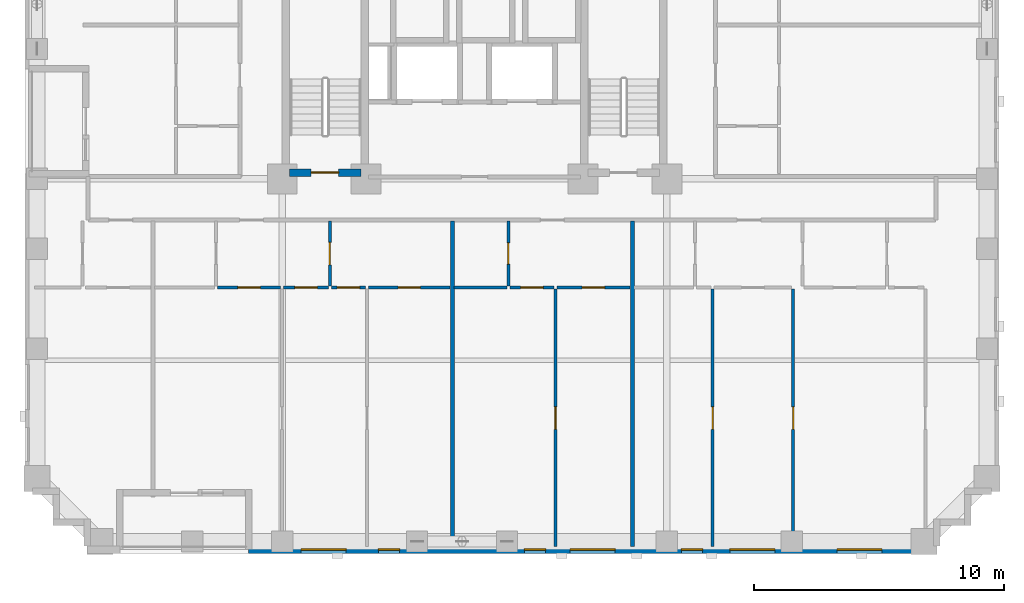
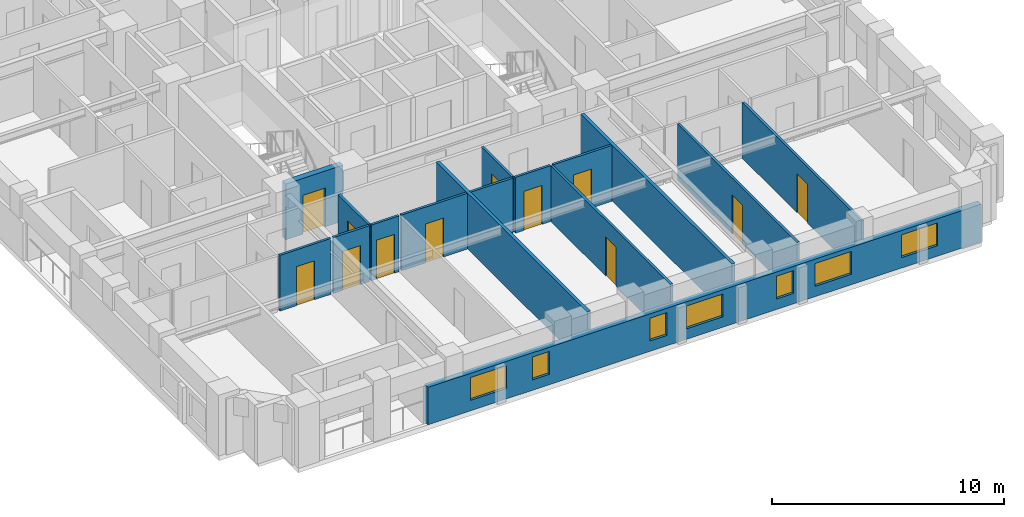
# One storey, part 3 of 14: 16 walls, 12 doors, 7 windows, 19 openings.
"""IFC4 building model written with IfcOpenShell, lengths in metres."""

from ifc_helpers import new_model, si_unit, derived_unit, direction, frame, frame_2d, origin, place, context, subcontext, project, spatial, rectangle, extrude, material, layer, layer_set, type_object, element, fill, save


model = new_model("IFC4")

# Units and contexts
model_context = context("Model", 3, precision=1e-05, world=origin(), true_north=direction((0.0, 1.0)))
body_context = subcontext(model_context, "Body", "Model", "MODEL_VIEW")
ifc_project = project(units=[si_unit("LENGTHUNIT", "METRE"), si_unit("AREAUNIT", "SQUARE_METRE"), si_unit("VOLUMEUNIT", "CUBIC_METRE"), si_unit("PLANEANGLEUNIT", "RADIAN"), si_unit("MASSUNIT", "GRAM", prefix="KILO"), derived_unit("THERMALTRANSMITTANCEUNIT", [(si_unit("MASSUNIT", "GRAM", prefix="KILO"), 1), (si_unit("TIMEUNIT", "SECOND"), -3), (si_unit("THERMODYNAMICTEMPERATUREUNIT", "KELVIN"), -1)])], contexts=[model_context])

# Site, building, storey
site_placement = place(None, origin())
site = spatial("IfcSite", under=ifc_project, at=site_placement, CompositionType="ELEMENT")
building_placement = place(site_placement, origin())
building = spatial("IfcBuilding", under=site, at=building_placement, Name="Korrvale Station Residences", CompositionType="ELEMENT")
storey_placement = place(building_placement, frame((0.0, 0.0, 54.60009765625)))
storey = spatial("IfcBuildingStorey", under=building, at=storey_placement, Name="L14", CompositionType="ELEMENT", Elevation=54.60009765625)

# Wall, opening, door
ifc_material_1 = material(Name="Concrete C70/85", Category="concrete")
ifc_layer_1 = layer(ifc_material_1, 0.300048828125, Name="Concrete C70/85")
ifc_layer_set_1 = layer_set([ifc_layer_1], Name="Concrete C70/85")
wall_type_1 = type_object("IfcWallType", Name="WAL-CORE-300-C70", PredefinedType="SHEAR", material=ifc_layer_set_1)
wall_1_placement = place(storey_placement, frame((18.10009765625, 15.25, 0.0), z_axis=(0.0, 0.0, 1.0), x_axis=(1.0, 0.0, 0.0)))
wall_1 = element("IfcWall", 1, at=wall_1_placement, inside=storey, type_object=wall_type_1, Name="L14 ST-1 Core Shear Wall South", PredefinedType="SHEAR", context=body_context, shape_type="SweptSolid", body=[
    extrude(rectangle(XDim=2.849853515625, YDim=0.300048828125, at=frame_2d((1.4248046875, 0.0))), origin(), (0.0, 0.0, 1.0), 2.93994140625),
])
opening_1_placement = place(wall_1_placement, frame((0.860107421875, 0.0, 0.0)))
opening_1 = element("IfcOpeningElement", 2, at=opening_1_placement, cuts=wall_1, Name="Opening SD-1100", PredefinedType="OPENING", context=body_context, shape_type="SweptSolid", body=[
    extrude(rectangle(XDim=1.10009765625, YDim=2.050048828125, at=frame_2d((0.550048828125, 1.02490234375))), frame((0.0, 0.16015625, 0.0), z_axis=(0.0, -1.0, 0.0), x_axis=(1.0, 0.0, 0.0)), (0.0, 0.0, 1.0), 0.320068359375),
])
ifc_material_2 = material(Name="Hollow-metal fire-rated stair door with closer", Category="steel")
door_type_1 = type_object("IfcDoorType", Name="DR-STAIR-1100", OperationType="NOTDEFINED", PredefinedType="DOOR", material=ifc_material_2)
door_1_placement = place(opening_1_placement, origin())
door_1 = element("IfcDoor", 3, at=door_1_placement, inside=storey, type_object=door_type_1, Name="L14 ST-1 Exit Stair Door", OperationType="SINGLE_SWING_LEFT", OverallHeight=2.050048828125, OverallWidth=1.10009765625, PredefinedType="DOOR", context=body_context, shape_type="SweptSolid", body=[
    extrude(rectangle(XDim=1.10009765625, YDim=2.050048828125, at=frame_2d((0.550048828125, 1.02490234375))), frame((0.0, 0.02490234375, 0.0), z_axis=(0.0, -1.0, 0.0), x_axis=(1.0, 0.0, 0.0)), (0.0, 0.0, 1.0), 0.050048828125),
])
fill(opening_1, door_1)

# Wall, openings, windows
ifc_material_3 = material(Name="Precast concrete C45/55", Category="concrete")
ifc_layer_2 = layer(ifc_material_3, 0.300048828125, Name="Precast concrete C45/55")
ifc_layer_set_2 = layer_set([ifc_layer_2], Name="Precast concrete C45/55")
wall_type_2 = type_object("IfcWallType", Name="WAL-EXT-PC300", PredefinedType="SOLIDWALL", material=ifc_layer_set_2)
wall_2_placement = place(storey_placement, frame((44.0, 0.14990234375, 0.0), z_axis=(0.0, 0.0, 1.0), x_axis=(-1.0, 0.0, 0.0)))
wall_2 = element("IfcWall", 4, at=wall_2_placement, inside=storey, type_object=wall_type_2, Name="L14 South Exterior Precast Wall 1", PredefinedType="SOLIDWALL", context=body_context, shape_type="SweptSolid", body=[
    extrude(rectangle(XDim=27.550048828125, YDim=0.300048828125, at=frame_2d((13.77490234375, 0.0))), origin(), (0.0, 0.0, 1.0), 1.974853515625),
])
opening_2_placement = place(wall_2_placement, frame((23.639892578125, 0.0, 0.550048828125)))
opening_2 = element("IfcOpeningElement", 5, at=opening_2_placement, cuts=wall_2, Name="Opening W-09", PredefinedType="OPENING", context=body_context, shape_type="SweptSolid", body=[
    extrude(rectangle(XDim=1.800048828125, YDim=1.199951171875, at=frame_2d((0.89990234375, 0.60009765625))), frame((0.0, 0.16015625, 0.0), z_axis=(0.0, -1.0, 0.0), x_axis=(1.0, 0.0, 0.0)), (0.0, 0.0, 1.0), 0.320068359375),
])
opening_3_placement = place(wall_2_placement, frame((21.5, 0.0, 0.550048828125)))
opening_3 = element("IfcOpeningElement", 6, at=opening_3_placement, cuts=wall_2, Name="Opening W-11", PredefinedType="OPENING", context=body_context, shape_type="SweptSolid", body=[
    extrude(rectangle(XDim=0.85009765625, YDim=1.199951171875, at=frame_2d((0.425048828125, 0.60009765625))), frame((0.0, 0.16015625, 0.0), z_axis=(0.0, -1.0, 0.0), x_axis=(1.0, 0.0, 0.0)), (0.0, 0.0, 1.0), 0.320068359375),
])
opening_4_placement = place(wall_2_placement, frame((15.64990234375, 0.0, 0.550048828125)))
opening_4 = element("IfcOpeningElement", 7, at=opening_4_placement, cuts=wall_2, Name="Opening W-11", PredefinedType="OPENING", context=body_context, shape_type="SweptSolid", body=[
    extrude(rectangle(XDim=0.85009765625, YDim=1.199951171875, at=frame_2d((0.425048828125, 0.60009765625))), frame((0.0, 0.16015625, 0.0), z_axis=(0.0, -1.0, 0.0), x_axis=(1.0, 0.0, 0.0)), (0.0, 0.0, 1.0), 0.320068359375),
])
opening_5_placement = place(wall_2_placement, frame((12.875, 0.0, 0.550048828125)))
opening_5 = element("IfcOpeningElement", 8, at=opening_5_placement, cuts=wall_2, Name="Opening W-09", PredefinedType="OPENING", context=body_context, shape_type="SweptSolid", body=[
    extrude(rectangle(XDim=1.800048828125, YDim=1.199951171875, at=frame_2d((0.89990234375, 0.60009765625))), frame((0.0, 0.16015625, 0.0), z_axis=(0.0, -1.0, 0.0), x_axis=(1.0, 0.0, 0.0)), (0.0, 0.0, 1.0), 0.320068359375),
])
opening_6_placement = place(wall_2_placement, frame((9.364990234375, 0.0, 0.550048828125)))
opening_6 = element("IfcOpeningElement", 9, at=opening_6_placement, cuts=wall_2, Name="Opening W-11", PredefinedType="OPENING", context=body_context, shape_type="SweptSolid", body=[
    extrude(rectangle(XDim=0.85009765625, YDim=1.199951171875, at=frame_2d((0.425048828125, 0.60009765625))), frame((0.0, 0.16015625, 0.0), z_axis=(0.0, -1.0, 0.0), x_axis=(1.0, 0.0, 0.0)), (0.0, 0.0, 1.0), 0.320068359375),
])
opening_7_placement = place(wall_2_placement, frame((6.47705078125, 0.0, 0.550048828125)))
opening_7 = element("IfcOpeningElement", 10, at=opening_7_placement, cuts=wall_2, Name="Opening W-09", PredefinedType="OPENING", context=body_context, shape_type="SweptSolid", body=[
    extrude(rectangle(XDim=1.800048828125, YDim=1.199951171875, at=frame_2d((0.89990234375, 0.60009765625))), frame((0.0, 0.16015625, 0.0), z_axis=(0.0, -1.0, 0.0), x_axis=(1.0, 0.0, 0.0)), (0.0, 0.0, 1.0), 0.320068359375),
])
opening_8_placement = place(wall_2_placement, frame((2.18603515625, 0.0, 0.550048828125)))
opening_8 = element("IfcOpeningElement", 11, at=opening_8_placement, cuts=wall_2, Name="Opening W-09", PredefinedType="OPENING", context=body_context, shape_type="SweptSolid", body=[
    extrude(rectangle(XDim=1.800048828125, YDim=1.199951171875, at=frame_2d((0.89990234375, 0.60009765625))), frame((0.0, 0.16015625, 0.0), z_axis=(0.0, -1.0, 0.0), x_axis=(1.0, 0.0, 0.0)), (0.0, 0.0, 1.0), 0.320068359375),
])
ifc_material_4 = material(Name="Thermally broken aluminium frame with triple low-e glazing", Category="aluminium")
window_type_1 = type_object("IfcWindowType", Name="WIN-W09", PartitioningType="DOUBLE_PANEL_VERTICAL", PredefinedType="WINDOW", material=ifc_material_4)
window_1_placement = place(opening_2_placement, origin())
window_1 = element("IfcWindow", 12, at=window_1_placement, inside=storey, type_object=window_type_1, Name="L14 Punched Window 04", OverallHeight=1.199951171875, OverallWidth=1.800048828125, PartitioningType="DOUBLE_PANEL_VERTICAL", PredefinedType="WINDOW", context=body_context, shape_type="SweptSolid", body=[
    extrude(rectangle(XDim=1.800048828125, YDim=1.199951171875, at=frame_2d((0.89990234375, 0.60009765625))), frame((0.0, 0.030029296875, 0.0), z_axis=(0.0, -1.0, 0.0), x_axis=(1.0, 0.0, 0.0)), (0.0, 0.0, 1.0), 0.06005859375),
])
fill(opening_2, window_1)
window_2_placement = place(opening_5_placement, origin())
window_2 = element("IfcWindow", 13, at=window_2_placement, inside=storey, type_object=window_type_1, Name="L14 Punched Window 07", OverallHeight=1.199951171875, OverallWidth=1.800048828125, PartitioningType="DOUBLE_PANEL_VERTICAL", PredefinedType="WINDOW", context=body_context, shape_type="SweptSolid", body=[
    extrude(rectangle(XDim=1.800048828125, YDim=1.199951171875, at=frame_2d((0.89990234375, 0.60009765625))), frame((0.0, 0.030029296875, 0.0), z_axis=(0.0, -1.0, 0.0), x_axis=(1.0, 0.0, 0.0)), (0.0, 0.0, 1.0), 0.06005859375),
])
fill(opening_5, window_2)
window_3_placement = place(opening_7_placement, origin())
window_3 = element("IfcWindow", 14, at=window_3_placement, inside=storey, type_object=window_type_1, Name="L14 Punched Window 09", OverallHeight=1.199951171875, OverallWidth=1.800048828125, PartitioningType="DOUBLE_PANEL_VERTICAL", PredefinedType="WINDOW", context=body_context, shape_type="SweptSolid", body=[
    extrude(rectangle(XDim=1.800048828125, YDim=1.199951171875, at=frame_2d((0.89990234375, 0.60009765625))), frame((0.0, 0.030029296875, 0.0), z_axis=(0.0, -1.0, 0.0), x_axis=(1.0, 0.0, 0.0)), (0.0, 0.0, 1.0), 0.06005859375),
])
fill(opening_7, window_3)
window_4_placement = place(opening_8_placement, origin())
window_4 = element("IfcWindow", 15, at=window_4_placement, inside=storey, type_object=window_type_1, Name="L14 Punched Window 10", OverallHeight=1.199951171875, OverallWidth=1.800048828125, PartitioningType="DOUBLE_PANEL_VERTICAL", PredefinedType="WINDOW", context=body_context, shape_type="SweptSolid", body=[
    extrude(rectangle(XDim=1.800048828125, YDim=1.199951171875, at=frame_2d((0.89990234375, 0.60009765625))), frame((0.0, 0.030029296875, 0.0), z_axis=(0.0, -1.0, 0.0), x_axis=(1.0, 0.0, 0.0)), (0.0, 0.0, 1.0), 0.06005859375),
])
fill(opening_8, window_4)
window_type_2 = type_object("IfcWindowType", Name="WIN-W11", PartitioningType="SINGLE_PANEL", PredefinedType="WINDOW", material=ifc_material_4)
window_5_placement = place(opening_3_placement, origin())
window_5 = element("IfcWindow", 16, at=window_5_placement, inside=storey, type_object=window_type_2, Name="L14 Punched Window 05", OverallHeight=1.199951171875, OverallWidth=0.85009765625, PartitioningType="SINGLE_PANEL", PredefinedType="WINDOW", context=body_context, shape_type="SweptSolid", body=[
    extrude(rectangle(XDim=0.85009765625, YDim=1.199951171875, at=frame_2d((0.425048828125, 0.60009765625))), frame((0.0, 0.030029296875, 0.0), z_axis=(0.0, -1.0, 0.0), x_axis=(1.0, 0.0, 0.0)), (0.0, 0.0, 1.0), 0.06005859375),
])
fill(opening_3, window_5)
window_6_placement = place(opening_4_placement, origin())
window_6 = element("IfcWindow", 17, at=window_6_placement, inside=storey, type_object=window_type_2, Name="L14 Punched Window 06", OverallHeight=1.199951171875, OverallWidth=0.85009765625, PartitioningType="SINGLE_PANEL", PredefinedType="WINDOW", context=body_context, shape_type="SweptSolid", body=[
    extrude(rectangle(XDim=0.85009765625, YDim=1.199951171875, at=frame_2d((0.425048828125, 0.60009765625))), frame((0.0, 0.030029296875, 0.0), z_axis=(0.0, -1.0, 0.0), x_axis=(1.0, 0.0, 0.0)), (0.0, 0.0, 1.0), 0.06005859375),
])
fill(opening_4, window_6)
window_7_placement = place(opening_6_placement, origin())
window_7 = element("IfcWindow", 18, at=window_7_placement, inside=storey, type_object=window_type_2, Name="L14 Punched Window 08", OverallHeight=1.199951171875, OverallWidth=0.85009765625, PartitioningType="SINGLE_PANEL", PredefinedType="WINDOW", context=body_context, shape_type="SweptSolid", body=[
    extrude(rectangle(XDim=0.85009765625, YDim=1.199951171875, at=frame_2d((0.425048828125, 0.60009765625))), frame((0.0, 0.030029296875, 0.0), z_axis=(0.0, -1.0, 0.0), x_axis=(1.0, 0.0, 0.0)), (0.0, 0.0, 1.0), 0.06005859375),
])
fill(opening_6, window_7)

# Wall, opening, door
ifc_material_5 = material(Name="Acoustic steel-stud gypsum board partition", Category="steel")
ifc_layer_3 = layer(ifc_material_5, 0.1201171875, Name="Acoustic steel-stud gypsum board partition")
ifc_layer_set_3 = layer_set([ifc_layer_3], Name="Acoustic steel-stud gypsum board partition")
wall_type_3 = type_object("IfcWallType", Name="WAL-PART-125", PredefinedType="PARTITIONING", material=ifc_layer_set_3)
wall_3_placement = place(storey_placement, frame((19.70703125, 10.7099609375, 0.0), z_axis=(0.0, 0.0, 1.0), x_axis=(0.0, 1.0, 0.0)))
wall_3 = element("IfcWall", 19, at=wall_3_placement, inside=storey, type_object=wall_type_3, Name="L14 Suite Partition U02-V12", PredefinedType="PARTITIONING", context=body_context, shape_type="SweptSolid", body=[
    extrude(rectangle(XDim=2.60009765625, YDim=0.1201171875, at=frame_2d((1.300048828125, 0.0))), origin(), (0.0, 0.0, 1.0), 2.93994140625),
])
opening_9_placement = place(wall_3_placement, frame((0.85009765625, 0.0, 0.0)))
opening_9 = element("IfcOpeningElement", 20, at=opening_9_placement, cuts=wall_3, Name="Opening DI-900", PredefinedType="OPENING", context=body_context, shape_type="SweptSolid", body=[
    extrude(rectangle(XDim=0.89990234375, YDim=2.050048828125, at=frame_2d((0.449951171875, 1.02490234375))), frame((0.0, 0.070068359375, 0.0), z_axis=(0.0, -1.0, 0.0), x_axis=(1.0, 0.0, 0.0)), (0.0, 0.0, 1.0), 0.14013671875),
])
ifc_material_6 = material(Name="Painted solid-core timber interior room door", Category="wood")
door_type_2 = type_object("IfcDoorType", Name="DR-INT-900", OperationType="NOTDEFINED", PredefinedType="DOOR", material=ifc_material_6)
door_2_placement = place(opening_9_placement, origin())
door_2 = element("IfcDoor", 21, at=door_2_placement, inside=storey, type_object=door_type_2, Name="L14 Apartment 2BR L14-U02 Kitchen Door", OperationType="SINGLE_SWING_RIGHT", OverallHeight=2.050048828125, OverallWidth=0.89990234375, PredefinedType="DOOR", context=body_context, shape_type="SweptSolid", body=[
    extrude(rectangle(XDim=0.89990234375, YDim=2.050048828125, at=frame_2d((0.449951171875, 1.02490234375))), frame((0.0, 0.02490234375, 0.0), z_axis=(0.0, -1.0, 0.0), x_axis=(1.0, 0.0, 0.0)), (0.0, 0.0, 1.0), 0.050048828125),
])
fill(opening_9, door_2)

wall_4_placement = place(storey_placement, frame((15.20703125, 10.64990234375, 0.0), z_axis=(0.0, 0.0, 1.0), x_axis=(1.0, 0.0, 0.0)))
wall_4 = element("IfcWall", 22, at=wall_4_placement, inside=storey, type_object=wall_type_3, Name="L14 Suite Partition U02-H13", PredefinedType="PARTITIONING", context=body_context, shape_type="SweptSolid", body=[
    extrude(rectangle(XDim=2.532958984375, YDim=0.1201171875, at=frame_2d((1.2666015625, 0.0))), origin(), (0.0, 0.0, 1.0), 2.93994140625),
])
opening_10_placement = place(wall_4_placement, frame((0.81591796875, 0.0, 0.0)))
opening_10 = element("IfcOpeningElement", 23, at=opening_10_placement, cuts=wall_4, Name="Opening DI-900", PredefinedType="OPENING", context=body_context, shape_type="SweptSolid", body=[
    extrude(rectangle(XDim=0.89990234375, YDim=2.050048828125, at=frame_2d((0.449951171875, 1.02490234375))), frame((0.0, 0.070068359375, 0.0), z_axis=(0.0, -1.0, 0.0), x_axis=(1.0, 0.0, 0.0)), (0.0, 0.0, 1.0), 0.14013671875),
])
door_3_placement = place(opening_10_placement, origin())
door_3 = element("IfcDoor", 24, at=door_3_placement, inside=storey, type_object=door_type_2, Name="L14 Apartment 2BR L14-U02 Kitchen Door", OperationType="SINGLE_SWING_LEFT", OverallHeight=2.050048828125, OverallWidth=0.89990234375, PredefinedType="DOOR", context=body_context, shape_type="SweptSolid", body=[
    extrude(rectangle(XDim=0.89990234375, YDim=2.050048828125, at=frame_2d((0.449951171875, 1.02490234375))), frame((0.0, 0.02490234375, 0.0), z_axis=(0.0, -1.0, 0.0), x_axis=(1.0, 0.0, 0.0)), (0.0, 0.0, 1.0), 0.050048828125),
])
fill(opening_10, door_3)

wall_5_placement = place(storey_placement, frame((17.860107421875, 10.64990234375, 0.0), z_axis=(0.0, 0.0, 1.0), x_axis=(1.0, 0.0, 0.0)))
wall_5 = element("IfcWall", 25, at=wall_5_placement, inside=storey, type_object=wall_type_3, Name="L14 Suite Partition U02-H14", PredefinedType="PARTITIONING", context=body_context, shape_type="SweptSolid", body=[
    extrude(rectangle(XDim=1.786865234375, YDim=0.1201171875, at=frame_2d((0.8935546875, 0.0))), origin(), (0.0, 0.0, 1.0), 2.93994140625),
])
opening_11_placement = place(wall_5_placement, frame((0.443115234375, 0.0, 0.0)))
opening_11 = element("IfcOpeningElement", 26, at=opening_11_placement, cuts=wall_5, Name="Opening DI-900", PredefinedType="OPENING", context=body_context, shape_type="SweptSolid", body=[
    extrude(rectangle(XDim=0.89990234375, YDim=2.050048828125, at=frame_2d((0.449951171875, 1.02490234375))), frame((0.0, 0.070068359375, 0.0), z_axis=(0.0, -1.0, 0.0), x_axis=(1.0, 0.0, 0.0)), (0.0, 0.0, 1.0), 0.14013671875),
])
door_4_placement = place(opening_11_placement, origin())
door_4 = element("IfcDoor", 27, at=door_4_placement, inside=storey, type_object=door_type_2, Name="L14 Apartment 2BR L14-U02 Kitchen Door", OperationType="SINGLE_SWING_RIGHT", OverallHeight=2.050048828125, OverallWidth=0.89990234375, PredefinedType="DOOR", context=body_context, shape_type="SweptSolid", body=[
    extrude(rectangle(XDim=0.89990234375, YDim=2.050048828125, at=frame_2d((0.449951171875, 1.02490234375))), frame((0.0, 0.02490234375, 0.0), z_axis=(0.0, -1.0, 0.0), x_axis=(1.0, 0.0, 0.0)), (0.0, 0.0, 1.0), 0.050048828125),
])
fill(opening_11, door_4)

wall_6_placement = place(storey_placement, frame((19.76708984375, 10.64990234375, 0.0), z_axis=(0.0, 0.0, 1.0), x_axis=(1.0, 0.0, 0.0)))
wall_6 = element("IfcWall", 28, at=wall_6_placement, inside=storey, type_object=wall_type_3, Name="L14 Suite Partition U02-H24", PredefinedType="PARTITIONING", context=body_context, shape_type="SweptSolid", body=[
    extrude(rectangle(XDim=1.364013671875, YDim=0.1201171875, at=frame_2d((0.68212890625, 0.0))), origin(), (0.0, 0.0, 1.0), 2.93994140625),
])
opening_12_placement = place(wall_6_placement, frame((0.23193359375, 0.0, 0.0)))
opening_12 = element("IfcOpeningElement", 29, at=opening_12_placement, cuts=wall_6, Name="Opening DI-900", PredefinedType="OPENING", context=body_context, shape_type="SweptSolid", body=[
    extrude(rectangle(XDim=0.89990234375, YDim=2.050048828125, at=frame_2d((0.449951171875, 1.02490234375))), frame((0.0, 0.070068359375, 0.0), z_axis=(0.0, -1.0, 0.0), x_axis=(1.0, 0.0, 0.0)), (0.0, 0.0, 1.0), 0.14013671875),
])
door_5_placement = place(opening_12_placement, origin())
door_5 = element("IfcDoor", 30, at=door_5_placement, inside=storey, type_object=door_type_2, Name="L14 Apartment 2BR L14-U02 Home Study Room Door", OperationType="SINGLE_SWING_LEFT", OverallHeight=2.050048828125, OverallWidth=0.89990234375, PredefinedType="DOOR", context=body_context, shape_type="SweptSolid", body=[
    extrude(rectangle(XDim=0.89990234375, YDim=2.050048828125, at=frame_2d((0.449951171875, 1.02490234375))), frame((0.0, 0.02490234375, 0.0), z_axis=(0.0, -1.0, 0.0), x_axis=(1.0, 0.0, 0.0)), (0.0, 0.0, 1.0), 0.050048828125),
])
fill(opening_12, door_5)

wall_7_placement = place(storey_placement, frame((21.2509765625, 10.64990234375, 0.0), z_axis=(0.0, 0.0, 1.0), x_axis=(1.0, 0.0, 0.0)))
wall_7 = element("IfcWall", 31, at=wall_7_placement, inside=storey, type_object=wall_type_3, Name="L14 Suite Partition U02-H25", PredefinedType="PARTITIONING", context=body_context, shape_type="SweptSolid", body=[
    extrude(rectangle(XDim=3.27001953125, YDim=0.1201171875, at=frame_2d((1.635009765625, 0.0))), origin(), (0.0, 0.0, 1.0), 2.93994140625),
])
opening_13_placement = place(wall_7_placement, frame((1.18505859375, 0.0, 0.0)))
opening_13 = element("IfcOpeningElement", 32, at=opening_13_placement, cuts=wall_7, Name="Opening DI-900", PredefinedType="OPENING", context=body_context, shape_type="SweptSolid", body=[
    extrude(rectangle(XDim=0.89990234375, YDim=2.050048828125, at=frame_2d((0.449951171875, 1.02490234375))), frame((0.0, 0.070068359375, 0.0), z_axis=(0.0, -1.0, 0.0), x_axis=(1.0, 0.0, 0.0)), (0.0, 0.0, 1.0), 0.14013671875),
])
door_6_placement = place(opening_13_placement, origin())
door_6 = element("IfcDoor", 33, at=door_6_placement, inside=storey, type_object=door_type_2, Name="L14 Apartment 2BR L14-U02 Home Study Room Door", OperationType="SINGLE_SWING_RIGHT", OverallHeight=2.050048828125, OverallWidth=0.89990234375, PredefinedType="DOOR", context=body_context, shape_type="SweptSolid", body=[
    extrude(rectangle(XDim=0.89990234375, YDim=2.050048828125, at=frame_2d((0.449951171875, 1.02490234375))), frame((0.0, 0.02490234375, 0.0), z_axis=(0.0, -1.0, 0.0), x_axis=(1.0, 0.0, 0.0)), (0.0, 0.0, 1.0), 0.050048828125),
])
fill(opening_13, door_6)

wall_8_placement = place(storey_placement, frame((26.85205078125, 10.7099609375, 0.0), z_axis=(0.0, 0.0, 1.0), x_axis=(0.0, 1.0, 0.0)))
wall_8 = element("IfcWall", 34, at=wall_8_placement, inside=storey, type_object=wall_type_3, Name="L14 Suite Partition U03-V01", PredefinedType="PARTITIONING", context=body_context, shape_type="SweptSolid", body=[
    extrude(rectangle(XDim=2.60009765625, YDim=0.1201171875, at=frame_2d((1.300048828125, 0.0))), origin(), (0.0, 0.0, 1.0), 2.93994140625),
])
opening_14_placement = place(wall_8_placement, frame((0.8701171875, 0.0, 0.0)))
opening_14 = element("IfcOpeningElement", 35, at=opening_14_placement, cuts=wall_8, Name="Opening DB-860", PredefinedType="OPENING", context=body_context, shape_type="SweptSolid", body=[
    extrude(rectangle(XDim=0.860107421875, YDim=2.050048828125, at=frame_2d((0.43017578125, 1.02490234375))), frame((0.0, 0.070068359375, 0.0), z_axis=(0.0, -1.0, 0.0), x_axis=(1.0, 0.0, 0.0)), (0.0, 0.0, 1.0), 0.14013671875),
])
ifc_material_7 = material(Name="Moisture-resistant solid-core bathroom door", Category="timber")
door_type_3 = type_object("IfcDoorType", Name="DR-BATH-860", OperationType="NOTDEFINED", PredefinedType="DOOR", material=ifc_material_7)
door_7_placement = place(opening_14_placement, origin())
door_7 = element("IfcDoor", 36, at=door_7_placement, inside=storey, type_object=door_type_3, Name="L14 Apartment 1BR L14-U03 Bathroom Door", OperationType="SINGLE_SWING_LEFT", OverallHeight=2.050048828125, OverallWidth=0.860107421875, PredefinedType="DOOR", context=body_context, shape_type="SweptSolid", body=[
    extrude(rectangle(XDim=0.860107421875, YDim=2.050048828125, at=frame_2d((0.43017578125, 1.02490234375))), frame((0.0, 0.02490234375, 0.0), z_axis=(0.0, -1.0, 0.0), x_axis=(1.0, 0.0, 0.0)), (0.0, 0.0, 1.0), 0.050048828125),
])
fill(opening_14, door_7)

# Wall
wall_9_placement = place(storey_placement, frame((24.680908203125, 10.64990234375, 0.0), z_axis=(0.0, 0.0, 1.0), x_axis=(1.0, 0.0, 0.0)))
element("IfcWall", 37, at=wall_9_placement, inside=storey, type_object=wall_type_3, Name="L14 Suite Partition U03-H02", PredefinedType="PARTITIONING", context=body_context, shape_type="SweptSolid", body=[
    extrude(rectangle(XDim=2.111083984375, YDim=0.1201171875, at=frame_2d((1.0556640625, 0.0))), origin(), (0.0, 0.0, 1.0), 2.93994140625),
])

# Wall, opening, door
wall_10_placement = place(storey_placement, frame((26.912109375, 10.64990234375, 0.0), z_axis=(0.0, 0.0, 1.0), x_axis=(1.0, 0.0, 0.0)))
wall_10 = element("IfcWall", 38, at=wall_10_placement, inside=storey, type_object=wall_type_3, Name="L14 Suite Partition U03-H12", PredefinedType="PARTITIONING", context=body_context, shape_type="SweptSolid", body=[
    extrude(rectangle(XDim=1.766845703125, YDim=0.1201171875, at=frame_2d((0.88330078125, 0.0))), origin(), (0.0, 0.0, 1.0), 2.93994140625),
])
opening_15_placement = place(wall_10_placement, frame((0.43310546875, 0.0, 0.0)))
opening_15 = element("IfcOpeningElement", 39, at=opening_15_placement, cuts=wall_10, Name="Opening DI-900", PredefinedType="OPENING", context=body_context, shape_type="SweptSolid", body=[
    extrude(rectangle(XDim=0.89990234375, YDim=2.050048828125, at=frame_2d((0.449951171875, 1.02490234375))), frame((0.0, 0.070068359375, 0.0), z_axis=(0.0, -1.0, 0.0), x_axis=(1.0, 0.0, 0.0)), (0.0, 0.0, 1.0), 0.14013671875),
])
door_8_placement = place(opening_15_placement, origin())
door_8 = element("IfcDoor", 40, at=door_8_placement, inside=storey, type_object=door_type_2, Name="L14 Apartment 1BR L14-U03 Kitchen Door", OperationType="SINGLE_SWING_RIGHT", OverallHeight=2.050048828125, OverallWidth=0.89990234375, PredefinedType="DOOR", context=body_context, shape_type="SweptSolid", body=[
    extrude(rectangle(XDim=0.89990234375, YDim=2.050048828125, at=frame_2d((0.449951171875, 1.02490234375))), frame((0.0, 0.02490234375, 0.0), z_axis=(0.0, -1.0, 0.0), x_axis=(1.0, 0.0, 0.0)), (0.0, 0.0, 1.0), 0.050048828125),
])
fill(opening_15, door_8)

wall_11_placement = place(storey_placement, frame((28.799072265625, 10.64990234375, 0.0), z_axis=(0.0, 0.0, 1.0), x_axis=(1.0, 0.0, 0.0)))
wall_11 = element("IfcWall", 41, at=wall_11_placement, inside=storey, type_object=wall_type_3, Name="L14 Suite Partition U03-H13", PredefinedType="PARTITIONING", context=body_context, shape_type="SweptSolid", body=[
    extrude(rectangle(XDim=2.91796875, YDim=0.1201171875, at=frame_2d((1.458984375, 0.0))), origin(), (0.0, 0.0, 1.0), 2.93994140625),
])
opening_16_placement = place(wall_11_placement, frame((1.009033203125, 0.0, 0.0)))
opening_16 = element("IfcOpeningElement", 42, at=opening_16_placement, cuts=wall_11, Name="Opening DI-900", PredefinedType="OPENING", context=body_context, shape_type="SweptSolid", body=[
    extrude(rectangle(XDim=0.89990234375, YDim=2.050048828125, at=frame_2d((0.449951171875, 1.02490234375))), frame((0.0, 0.070068359375, 0.0), z_axis=(0.0, -1.0, 0.0), x_axis=(1.0, 0.0, 0.0)), (0.0, 0.0, 1.0), 0.14013671875),
])
door_9_placement = place(opening_16_placement, origin())
door_9 = element("IfcDoor", 43, at=door_9_placement, inside=storey, type_object=door_type_2, Name="L14 Apartment 1BR L14-U03 Kitchen Door", OperationType="SINGLE_SWING_LEFT", OverallHeight=2.050048828125, OverallWidth=0.89990234375, PredefinedType="DOOR", context=body_context, shape_type="SweptSolid", body=[
    extrude(rectangle(XDim=0.89990234375, YDim=2.050048828125, at=frame_2d((0.449951171875, 1.02490234375))), frame((0.0, 0.02490234375, 0.0), z_axis=(0.0, -1.0, 0.0), x_axis=(1.0, 0.0, 0.0)), (0.0, 0.0, 1.0), 0.050048828125),
])
fill(opening_16, door_9)

wall_12_placement = place(storey_placement, frame((28.739013671875, 0.280029296875, 0.0), z_axis=(0.0, 0.0, 1.0), x_axis=(0.0, 1.0, 0.0)))
wall_12 = element("IfcWall", 44, at=wall_12_placement, inside=storey, type_object=wall_type_3, Name="L14 Suite Partition U03-V23", PredefinedType="PARTITIONING", context=body_context, shape_type="SweptSolid", body=[
    extrude(rectangle(XDim=10.31005859375, YDim=0.1201171875, at=frame_2d((5.155029296875, 0.0))), origin(), (0.0, 0.0, 1.0), 2.93994140625),
])
opening_17_placement = place(wall_12_placement, frame((4.68994140625, 0.0, 0.0)))
opening_17 = element("IfcOpeningElement", 45, at=opening_17_placement, cuts=wall_12, Name="Opening DI-900", PredefinedType="OPENING", context=body_context, shape_type="SweptSolid", body=[
    extrude(rectangle(XDim=0.89990234375, YDim=2.050048828125, at=frame_2d((0.449951171875, 1.02490234375))), frame((0.0, 0.070068359375, 0.0), z_axis=(0.0, -1.0, 0.0), x_axis=(1.0, 0.0, 0.0)), (0.0, 0.0, 1.0), 0.14013671875),
])
door_10_placement = place(opening_17_placement, origin())
door_10 = element("IfcDoor", 46, at=door_10_placement, inside=storey, type_object=door_type_2, Name="L14 Apartment 1BR L14-U03 Living and Dining Room Door", OperationType="SINGLE_SWING_RIGHT", OverallHeight=2.050048828125, OverallWidth=0.89990234375, PredefinedType="DOOR", context=body_context, shape_type="SweptSolid", body=[
    extrude(rectangle(XDim=0.89990234375, YDim=2.050048828125, at=frame_2d((0.449951171875, 1.02490234375))), frame((0.0, 0.02490234375, 0.0), z_axis=(0.0, -1.0, 0.0), x_axis=(1.0, 0.0, 0.0)), (0.0, 0.0, 1.0), 0.050048828125),
])
fill(opening_17, door_10)

wall_13_placement = place(storey_placement, frame((35.037109375, 0.280029296875, 0.0), z_axis=(0.0, 0.0, 1.0), x_axis=(0.0, 1.0, 0.0)))
wall_13 = element("IfcWall", 47, at=wall_13_placement, inside=storey, type_object=wall_type_3, Name="L14 Suite Partition U04-V45", PredefinedType="PARTITIONING", context=body_context, shape_type="SweptSolid", body=[
    extrude(rectangle(XDim=10.31005859375, YDim=0.1201171875, at=frame_2d((5.155029296875, 0.0))), origin(), (0.0, 0.0, 1.0), 2.93994140625),
])
opening_18_placement = place(wall_13_placement, frame((4.68994140625, 0.0, 0.0)))
opening_18 = element("IfcOpeningElement", 48, at=opening_18_placement, cuts=wall_13, Name="Opening DI-900", PredefinedType="OPENING", context=body_context, shape_type="SweptSolid", body=[
    extrude(rectangle(XDim=0.89990234375, YDim=2.050048828125, at=frame_2d((0.449951171875, 1.02490234375))), frame((0.0, 0.070068359375, 0.0), z_axis=(0.0, -1.0, 0.0), x_axis=(1.0, 0.0, 0.0)), (0.0, 0.0, 1.0), 0.14013671875),
])
door_11_placement = place(opening_18_placement, origin())
door_11 = element("IfcDoor", 49, at=door_11_placement, inside=storey, type_object=door_type_2, Name="L14 Studio Apartment L14-U04 Formal Dining Room Door", OperationType="SINGLE_SWING_LEFT", OverallHeight=2.050048828125, OverallWidth=0.89990234375, PredefinedType="DOOR", context=body_context, shape_type="SweptSolid", body=[
    extrude(rectangle(XDim=0.89990234375, YDim=2.050048828125, at=frame_2d((0.449951171875, 1.02490234375))), frame((0.0, 0.02490234375, 0.0), z_axis=(0.0, -1.0, 0.0), x_axis=(1.0, 0.0, 0.0)), (0.0, 0.0, 1.0), 0.050048828125),
])
fill(opening_18, door_11)

wall_14_placement = place(storey_placement, frame((38.257080078125, 0.280029296875, 0.0), z_axis=(0.0, 0.0, 1.0), x_axis=(0.0, 1.0, 0.0)))
wall_14 = element("IfcWall", 50, at=wall_14_placement, inside=storey, type_object=wall_type_3, Name="L14 Suite Partition U04-V56", PredefinedType="PARTITIONING", context=body_context, shape_type="SweptSolid", body=[
    extrude(rectangle(XDim=10.31005859375, YDim=0.1201171875, at=frame_2d((5.155029296875, 0.0))), origin(), (0.0, 0.0, 1.0), 2.93994140625),
])
opening_19_placement = place(wall_14_placement, frame((4.68994140625, 0.0, 0.0)))
opening_19 = element("IfcOpeningElement", 51, at=opening_19_placement, cuts=wall_14, Name="Opening DI-900", PredefinedType="OPENING", context=body_context, shape_type="SweptSolid", body=[
    extrude(rectangle(XDim=0.89990234375, YDim=2.050048828125, at=frame_2d((0.449951171875, 1.02490234375))), frame((0.0, 0.070068359375, 0.0), z_axis=(0.0, -1.0, 0.0), x_axis=(1.0, 0.0, 0.0)), (0.0, 0.0, 1.0), 0.14013671875),
])
door_12_placement = place(opening_19_placement, origin())
door_12 = element("IfcDoor", 52, at=door_12_placement, inside=storey, type_object=door_type_2, Name="L14 Studio Apartment L14-U04 Formal Dining Room Door", OperationType="SINGLE_SWING_RIGHT", OverallHeight=2.050048828125, OverallWidth=0.89990234375, PredefinedType="DOOR", context=body_context, shape_type="SweptSolid", body=[
    extrude(rectangle(XDim=0.89990234375, YDim=2.050048828125, at=frame_2d((0.449951171875, 1.02490234375))), frame((0.0, 0.02490234375, 0.0), z_axis=(0.0, -1.0, 0.0), x_axis=(1.0, 0.0, 0.0)), (0.0, 0.0, 1.0), 0.050048828125),
])
fill(opening_19, door_12)

# Walls
ifc_material_8 = material(Name="Fire-rated twin-stud gypsum and mineral wool shaftwall assembly", Category="gypsum")
ifc_layer_4 = layer(ifc_material_8, 0.159912109375, Name="Fire-rated twin-stud gypsum and mineral wool shaftwall assembly")
ifc_layer_set_4 = layer_set([ifc_layer_4], Name="Fire-rated twin-stud gypsum and mineral wool shaftwall assembly")
wall_type_4 = type_object("IfcWallType", Name="WAL-PART-200", PredefinedType="PARTITIONING", material=ifc_layer_set_4)
for number, where, z_axis, x_axis, name in (
    (53, (24.62109375, 0.280029296875, 0.0), (0.0, 0.0, 1.0), (0.0, 1.0, 0.0), "L14 Demising Wall U03-W"),
    (54, (31.81689453125, 0.280029296875, 0.0), (0.0, 0.0, 1.0), (0.0, 1.0, 0.0), "L14 Demising Wall U04-W"),
):
    element("IfcWall", number, at=place(storey_placement, frame(where, z_axis=z_axis, x_axis=x_axis)), inside=storey, type_object=wall_type_4, Name=name, PredefinedType="PARTITIONING", context=body_context, shape_type="SweptSolid", body=[
        extrude(rectangle(XDim=13.030029296875, YDim=0.159912109375, at=frame_2d((6.51513671875, 0.0))), origin(), (0.0, 0.0, 1.0), 2.93994140625),
    ])

save(model, "model.ifc")
